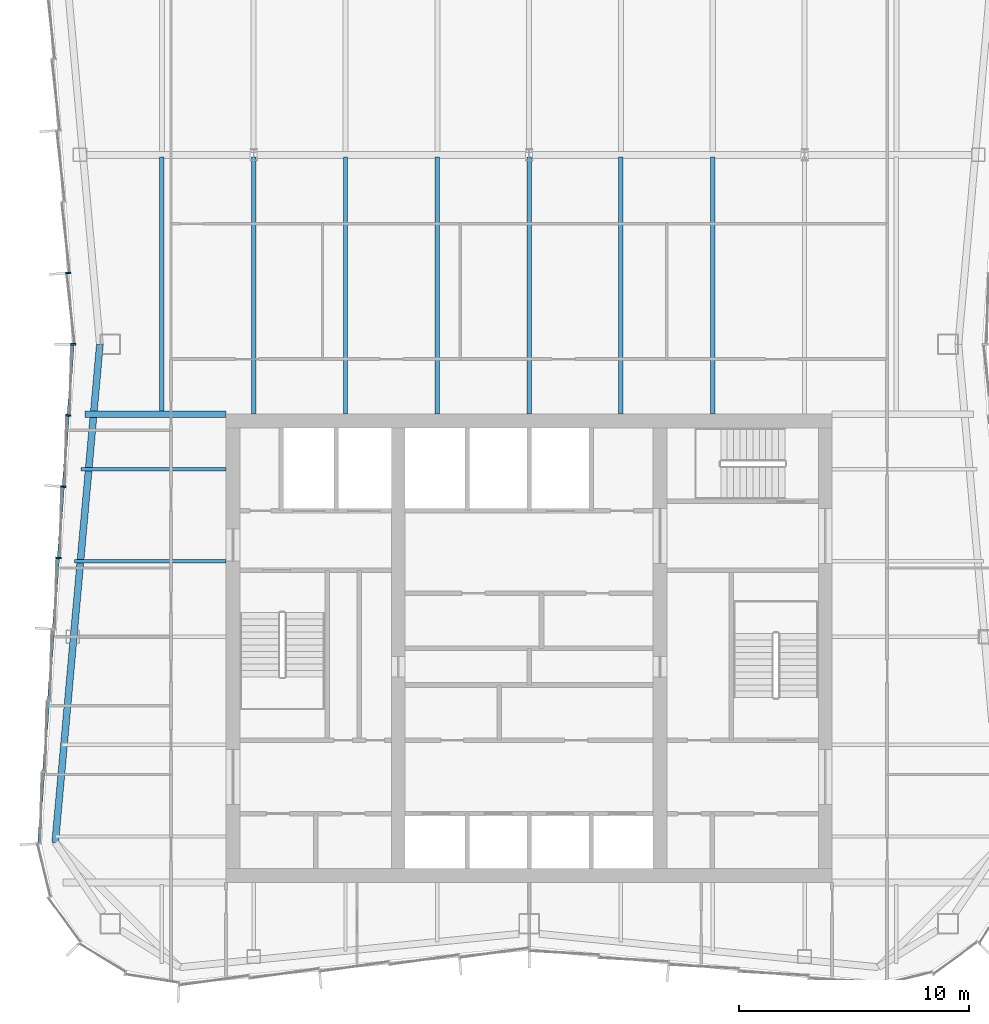
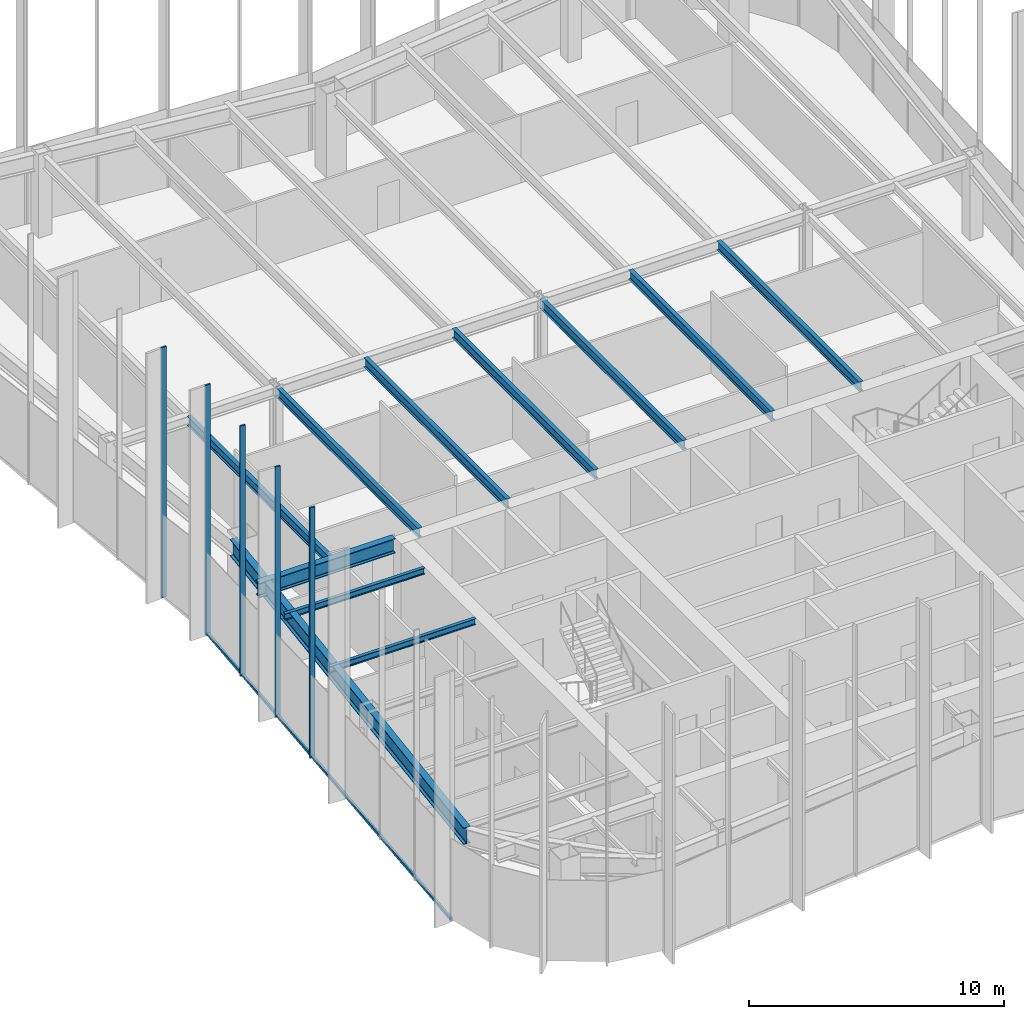
# One storey, part 4 of 13: 11 beams, 6 members, 1 element without a shape of its own.
"""IFC4 building model written with IfcOpenShell, lengths in metres."""

from ifc_helpers import new_model, si_unit, direction, frame, origin, origin_2d, place, context, subcontext, project, spatial, rectangle, i_section, extrude, material, material_profile, profile_set, type_object, element, aggregate, save


model = new_model("IFC4")

# Units and contexts
model_context = context("Model", 3, precision=1e-05, world=origin(), true_north=direction((0.0, 1.0)))
body_context = subcontext(model_context, "Body", "Model", "MODEL_VIEW")
ifc_project = project(units=[si_unit("LENGTHUNIT", "METRE"), si_unit("AREAUNIT", "SQUARE_METRE"), si_unit("VOLUMEUNIT", "CUBIC_METRE"), si_unit("PLANEANGLEUNIT", "RADIAN"), si_unit("MASSUNIT", "GRAM", prefix="KILO")], contexts=[model_context])

# Site, building, storey
site_placement = place(None, origin())
site = spatial("IfcSite", under=ifc_project, at=site_placement, CompositionType="ELEMENT")
building_placement = place(site_placement, origin())
building = spatial("IfcBuilding", under=site, at=building_placement, Name="Verdant Reach Tower", CompositionType="ELEMENT")
storey_placement = place(building_placement, frame((0.0, 0.0, 318.0)))
storey = spatial("IfcBuildingStorey", under=building, at=storey_placement, Name="L73", CompositionType="ELEMENT", Elevation=318.0)

# Curtain wall, members
ifc_material_1 = material(Name="Anodised aluminium", Category="aluminium")
curtain_wall_type = type_object("IfcCurtainWallType", Name="EN-CW SYSTEM Z5", PredefinedType="NOTDEFINED", material=ifc_material_1)
curtain_wall_placement = place(storey_placement, origin())
curtain_wall = element("IfcCurtainWall", 1, at=curtain_wall_placement, inside=storey, type_object=curtain_wall_type, Name="Curtain wall west, L73", PredefinedType="NOTDEFINED")
ifc_material_profile_1 = material_profile(ifc_material_1, rectangle(XDim=0.22998046875, YDim=0.070068359375, at=origin_2d()), Name="Mullion 70x230")
ifc_profile_set_1 = profile_set([ifc_material_profile_1], Name="Anodised aluminium")
member_type_1 = type_object("IfcMemberType", Name="EN-MULLION Z5", PredefinedType="MULLION", material=ifc_profile_set_1)
member_1_placement = place(storey_placement, frame((-20.0791015625, 44.34912109375, -0.35009765625), z_axis=(0.0, 0.0, 1.0), x_axis=(-0.997630328423, -0.068802091615, 0.0)))
member_1 = element("IfcMember", 2, at=member_1_placement, type_object=member_type_1, Name="Mullion west face part 1 7, L73", PredefinedType="MULLION", context=body_context, shape_type="SweptSolid", body=[
    extrude(rectangle(XDim=0.22998046875, YDim=0.070068359375, at=origin_2d()), origin(), (0.0, 0.0, 1.0), 12.0),
])
member_2_placement = place(storey_placement, frame((-19.864990234375, 41.25, -0.35009765625), z_axis=(0.0, 0.0, 1.0), x_axis=(-1.0, 0.0, 0.0)))
member_2 = element("IfcMember", 3, at=member_2_placement, type_object=member_type_1, Name="Mullion west face part 2 1, L73", PredefinedType="MULLION", context=body_context, shape_type="SweptSolid", body=[
    extrude(rectangle(XDim=0.22998046875, YDim=0.070068359375, at=origin_2d()), origin(), (0.0, 0.0, 1.0), 12.0),
])
member_3_placement = place(storey_placement, frame((-20.0791015625, 38.15087890625, -0.35009765625), z_axis=(0.0, 0.0, 1.0), x_axis=(-0.997630328423, 0.068802091615, 0.0)))
member_3 = element("IfcMember", 4, at=member_3_placement, type_object=member_type_1, Name="Mullion west face part 2 2, L73", PredefinedType="MULLION", context=body_context, shape_type="SweptSolid", body=[
    extrude(rectangle(XDim=0.22998046875, YDim=0.070068359375, at=origin_2d()), origin(), (0.0, 0.0, 1.0), 12.0),
])
member_4_placement = place(storey_placement, frame((-20.293212890625, 35.043701171875, -0.35009765625), z_axis=(0.0, 0.0, 1.0), x_axis=(-0.997630328423, 0.068802091615, 0.0)))
member_4 = element("IfcMember", 5, at=member_4_placement, type_object=member_type_1, Name="Mullion west face part 2 3, L73", PredefinedType="MULLION", context=body_context, shape_type="SweptSolid", body=[
    extrude(rectangle(XDim=0.22998046875, YDim=0.070068359375, at=origin_2d()), origin(), (0.0, 0.0, 1.0), 12.0),
])
member_5_placement = place(storey_placement, frame((-20.507568359375, 31.9365234375, -0.35009765625), z_axis=(0.0, 0.0, 1.0), x_axis=(-0.997630328423, 0.068802091615, 0.0)))
member_5 = element("IfcMember", 6, at=member_5_placement, type_object=member_type_1, Name="Mullion west face part 2 4, L73", PredefinedType="MULLION", context=body_context, shape_type="SweptSolid", body=[
    extrude(rectangle(XDim=0.22998046875, YDim=0.070068359375, at=origin_2d()), origin(), (0.0, 0.0, 1.0), 12.0),
])
ifc_material_profile_2 = material_profile(ifc_material_1, rectangle(XDim=0.10009765625, YDim=0.1298828125, at=origin_2d()), Name="Transom 130x100")
ifc_profile_set_2 = profile_set([ifc_material_profile_2], Name="Anodised aluminium")
member_type_2 = type_object("IfcMemberType", Name="EN-TRANSOM Z5", PredefinedType="USERDEFINED", material=ifc_profile_set_2)
member_6_placement = place(storey_placement, frame((-19.867431640625, 41.215087890625, -0.284912109375), z_axis=(-0.068764705107, -0.997632906099, 0.0), x_axis=(0.997632906099, -0.068764705107, 0.0)))
member_6 = element("IfcMember", 7, at=member_6_placement, type_object=member_type_2, Name="Transom west face part 2 1.1, L73", ObjectType="TRANSOM", PredefinedType="USERDEFINED", context=body_context, shape_type="SweptSolid", body=[
    extrude(rectangle(XDim=0.10009765625, YDim=0.1298828125, at=origin_2d()), origin(), (0.0, 0.0, 1.0), 21.739013671875),
])
aggregate(curtain_wall, [member_1, member_2, member_3, member_4, member_5, member_6])

# Beams
ifc_material_2 = material(Name="Steel S355", Category="steel")
ifc_material_profile_3 = material_profile(ifc_material_2, i_section(OverallWidth=0.300048828125, OverallDepth=0.699951171875, WebThickness=0.01708984375, FlangeThickness=0.031982421875, FilletRadius=0.027099609375, at=origin_2d()), Name="HEB 700")
ifc_profile_set_3 = profile_set([ifc_material_profile_3], Name="Steel S355")
beam_type_1 = type_object("IfcBeamType", Name="ST-BEAM-HEB700", PredefinedType="BEAM", material=ifc_profile_set_3)
beam_1_placement = place(storey_placement, frame((-13.199951171875, 38.199951171875, 3.52001953125), z_axis=(-1.0, 0.0, 0.0), x_axis=(0.0, -1.0, 0.0)))
element("IfcBeam", 8, at=beam_1_placement, inside=storey, type_object=beam_type_1, Name="Trimmer beam, L73", PredefinedType="BEAM", context=body_context, shape_type="SweptSolid", body=[
    extrude(i_section(OverallWidth=0.300048828125, OverallDepth=0.699951171875, WebThickness=0.01708984375, FlangeThickness=0.031982421875, FilletRadius=0.027099609375, at=origin_2d()), origin(), (0.0, 0.0, 1.0), 6.158935546875),
])
ifc_material_profile_4 = material_profile(ifc_material_2, i_section(OverallWidth=0.14990234375, OverallDepth=0.300048828125, WebThickness=0.007080078125, FlangeThickness=0.0107421875, FilletRadius=0.014892578125, at=origin_2d()), Name="IPE 300")
ifc_profile_set_4 = profile_set([ifc_material_profile_4], Name="Steel S355")
beam_type_2 = type_object("IfcBeamType", Name="ST-JOIST-IPE300", PredefinedType="JOIST", material=ifc_profile_set_4)
beam_2_placement = place(storey_placement, frame((-13.199951171875, 31.800048828125, 3.719970703125), z_axis=(-1.0, 0.0, 0.0), x_axis=(0.0, -1.0, 0.0)))
element("IfcBeam", 9, at=beam_2_placement, inside=storey, type_object=beam_type_2, Name="Floor joist, L73", PredefinedType="JOIST", context=body_context, shape_type="SweptSolid", body=[
    extrude(i_section(OverallWidth=0.14990234375, OverallDepth=0.300048828125, WebThickness=0.007080078125, FlangeThickness=0.0107421875, FilletRadius=0.014892578125, at=origin_2d()), origin(), (0.0, 0.0, 1.0), 6.600341796875),
])
beam_3_placement = place(storey_placement, frame((-13.199951171875, 35.800048828125, 3.719970703125), z_axis=(-1.0, 0.0, 0.0), x_axis=(0.0, -1.0, 0.0)))
element("IfcBeam", 10, at=beam_3_placement, inside=storey, type_object=beam_type_2, Name="Floor joist, L73", PredefinedType="JOIST", context=body_context, shape_type="SweptSolid", body=[
    extrude(i_section(OverallWidth=0.14990234375, OverallDepth=0.300048828125, WebThickness=0.007080078125, FlangeThickness=0.0107421875, FilletRadius=0.014892578125, at=origin_2d()), origin(), (0.0, 0.0, 1.0), 6.324462890625),
])
ifc_material_profile_5 = material_profile(ifc_material_2, i_section(OverallWidth=0.18994140625, OverallDepth=0.449951171875, WebThickness=0.009521484375, FlangeThickness=0.0146484375, FilletRadius=0.02099609375, at=origin_2d()), Name="IPE 450")
ifc_profile_set_5 = profile_set([ifc_material_profile_5], Name="Steel S355")
beam_type_3 = type_object("IfcBeamType", Name="ST-JOIST-IPE450", PredefinedType="JOIST", material=ifc_profile_set_5)
beam_4_placement = place(storey_placement, frame((-16.0, 38.300048828125, 3.64501953125), z_axis=(0.0, 1.0, 0.0), x_axis=(-1.0, 0.0, 0.0)))
element("IfcBeam", 11, at=beam_4_placement, inside=storey, type_object=beam_type_3, Name="Floor joist, L73", PredefinedType="JOIST", context=body_context, shape_type="SweptSolid", body=[
    extrude(i_section(OverallWidth=0.18994140625, OverallDepth=0.449951171875, WebThickness=0.009521484375, FlangeThickness=0.0146484375, FilletRadius=0.02099609375, at=origin_2d()), origin(), (0.0, 0.0, 1.0), 11.099853515625),
])
for number, where, z_axis, x_axis, name in (
    (12, (-12.0, 38.199951171875, 3.64501953125), (0.0, 1.0, 0.0), (-1.0, 0.0, 0.0), "Floor joist, L73"),
    (13, (-8.0, 38.199951171875, 3.64501953125), (0.0, 1.0, 0.0), (-1.0, 0.0, 0.0), "Floor joist, L73"),
    (14, (-4.0, 38.199951171875, 3.64501953125), (0.0, 1.0, 0.0), (-1.0, 0.0, 0.0), "Floor joist, L73"),
    (15, (0.0, 38.199951171875, 3.64501953125), (0.0, 1.0, 0.0), (-1.0, 0.0, 0.0), "Floor joist, L73"),
    (16, (4.0, 38.199951171875, 3.64501953125), (0.0, 1.0, 0.0), (-1.0, 0.0, 0.0), "Floor joist, L73"),
    (17, (8.0, 38.199951171875, 3.64501953125), (0.0, 1.0, 0.0), (-1.0, 0.0, 0.0), "Floor joist, L73"),
):
    element("IfcBeam", number, at=place(storey_placement, frame(where, z_axis=z_axis, x_axis=x_axis)), inside=storey, type_object=beam_type_3, Name=name, PredefinedType="JOIST", context=body_context, shape_type="SweptSolid", body=[
        extrude(i_section(OverallWidth=0.18994140625, OverallDepth=0.449951171875, WebThickness=0.009521484375, FlangeThickness=0.0146484375, FilletRadius=0.02099609375, at=origin_2d()), origin(), (0.0, 0.0, 1.0), 11.199951171875),
    ])
ifc_material_profile_6 = material_profile(ifc_material_2, i_section(OverallWidth=0.300048828125, OverallDepth=0.800048828125, WebThickness=0.017578125, FlangeThickness=0.032958984375, FilletRadius=0.030029296875, at=origin_2d()), Name="HEB 800")
ifc_profile_set_6 = profile_set([ifc_material_profile_6], Name="Steel S355")
beam_type_4 = type_object("IfcBeamType", Name="ST-SPANDREL-HEB800", PredefinedType="SPANDREL", material=ifc_profile_set_6)
beam_5_placement = place(storey_placement, frame((-20.64599609375, 19.53857421875, 3.469970703125), z_axis=(0.089274399498, 0.996007069048, 0.0), x_axis=(-0.996007069048, 0.089274399498, 0.0)))
element("IfcBeam", 18, at=beam_5_placement, inside=storey, type_object=beam_type_4, Name="Edge beam, L73", PredefinedType="SPANDREL", context=body_context, shape_type="SweptSolid", body=[
    extrude(i_section(OverallWidth=0.300048828125, OverallDepth=0.800048828125, WebThickness=0.017578125, FlangeThickness=0.032958984375, FilletRadius=0.030029296875, at=origin_2d()), origin(), (0.0, 0.0, 1.0), 21.798583984375),
])

save(model, "model.ifc")
